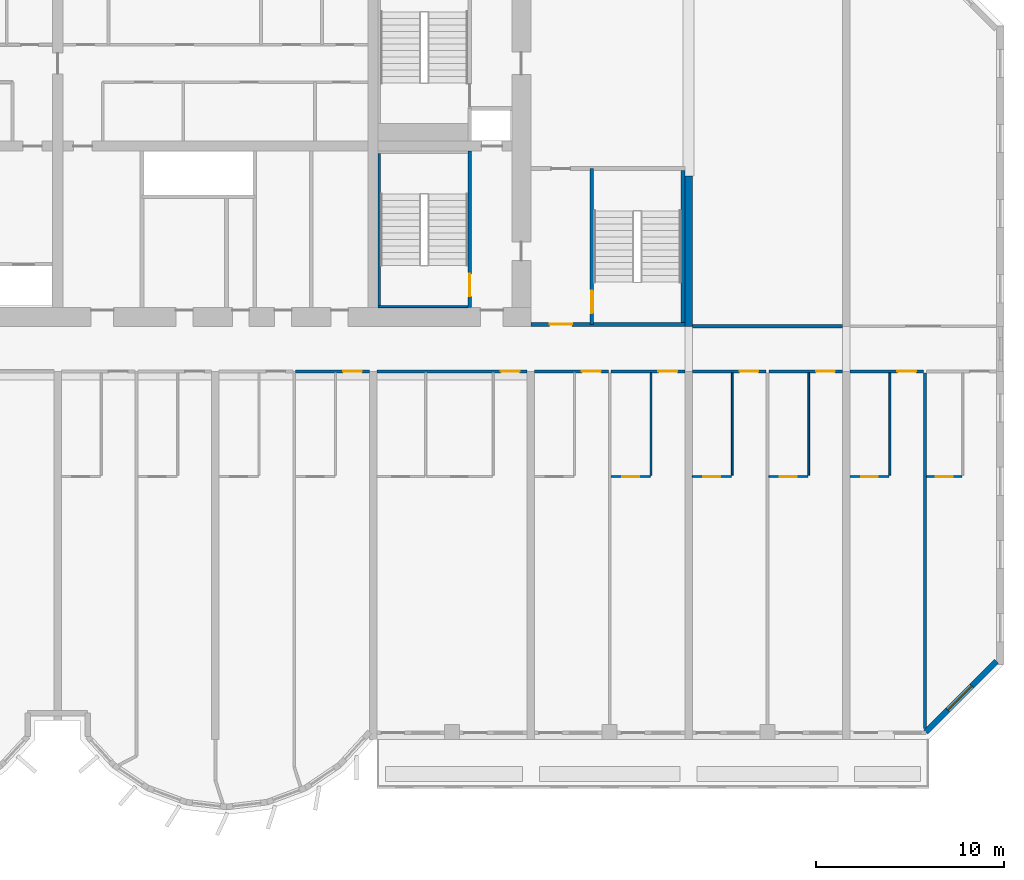
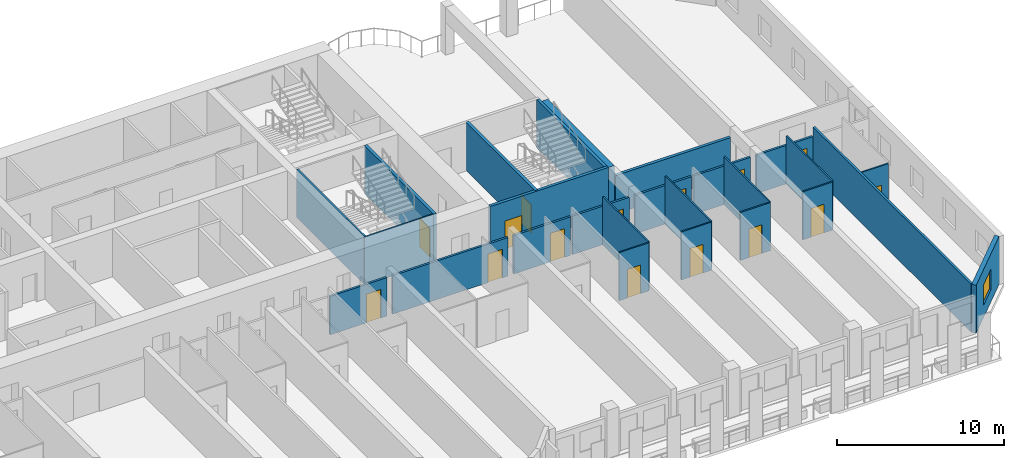
# One storey, part 9 of 14: 26 walls, 15 doors, 1 window, 16 openings.
"""IFC4 building model written with IfcOpenShell, lengths in metres."""

from ifc_helpers import new_model, si_unit, direction, frame, frame_2d, origin, place, context, subcontext, project, spatial, rectangle, extrude, source, transform, mapped, material, layer, layer_set, type_object, element, fill, save


model = new_model("IFC4")

# Units and contexts
model_context = context("Model", 3, precision=1e-05, world=origin(), true_north=direction((0.0, 1.0)))
body_context = subcontext(model_context, "Body", "Model", "MODEL_VIEW")
ifc_project = project(units=[si_unit("LENGTHUNIT", "METRE"), si_unit("AREAUNIT", "SQUARE_METRE"), si_unit("VOLUMEUNIT", "CUBIC_METRE"), si_unit("PLANEANGLEUNIT", "RADIAN"), si_unit("MASSUNIT", "GRAM", prefix="KILO")], contexts=[model_context])

# Site, building, storey
site_placement = place(None, origin())
site = spatial("IfcSite", under=ifc_project, at=site_placement, CompositionType="ELEMENT")
building_placement = place(site_placement, origin())
building = spatial("IfcBuilding", under=site, at=building_placement, Name="Vanashikhar Sky Hotel", CompositionType="ELEMENT")
storey_placement = place(building_placement, frame((0.0, 0.0, 58.199951171875)))
storey = spatial("IfcBuildingStorey", under=building, at=storey_placement, Name="L13", CompositionType="ELEMENT", Elevation=58.199951171875)

# Wall
ifc_material_1 = material(Name="Concrete M80", Category="concrete")
ifc_layer_1 = layer(ifc_material_1, 0.39990234375)
ifc_layer_set_1 = layer_set([ifc_layer_1], Name="RC shear wall 400 Concrete M80")
wall_type_1 = type_object("IfcWallType", Name="RC shear wall 400 Concrete M80", PredefinedType="SHEAR", material=ifc_layer_set_1)
shared_shape_1 = source(origin(), body_context, "Body", "SweptSolid", [
    extrude(rectangle(XDim=8.0, YDim=0.39990234375, at=frame_2d((4.0, 0.0))), origin(), (0.0, 0.0, 1.0), 3.52001953125),
])
wall_1_placement = place(storey_placement, frame((84.0, 22.0, 0.0), z_axis=(0.0, 0.0, 1.0), x_axis=(0.0, 1.0, 0.0)))
element("IfcWall", 1, at=wall_1_placement, inside=storey, type_object=wall_type_1, Name="CW-L13-XW11-2", PredefinedType="SHEAR", context=body_context, shape_type="MappedRepresentation", body=[
    mapped(shared_shape_1, transform((0.0, 0.0, 0.0), scale=1.0)),
])

# Wall, opening, window
ifc_material_2 = material(Name="Concrete M50", Category="concrete")
ifc_layer_2 = layer(ifc_material_2, 0.300048828125)
ifc_layer_set_2 = layer_set([ifc_layer_2], Name="Lobe wall 300")
wall_type_2 = type_object("IfcWallType", Name="Lobe wall 300", PredefinedType="SOLIDWALL", material=ifc_layer_set_2)
shared_shape_2 = source(origin(), body_context, "Body", "SweptSolid", [
    extrude(rectangle(XDim=5.32568359375, YDim=0.300048828125, at=frame_2d((2.662841796875, 0.0))), origin(), (0.0, 0.0, 1.0), 3.52001953125),
])
wall_2_placement = place(storey_placement, frame((96.63427734375, 0.39990234375, 0.0), z_axis=(0.0, 0.0, 1.0), x_axis=(0.707083859269, 0.707129702361, 0.0)))
wall_2 = element("IfcWall", 2, at=wall_2_placement, inside=storey, type_object=wall_type_2, Name="Corner wall", PredefinedType="SOLIDWALL", context=body_context, shape_type="MappedRepresentation", body=[
    mapped(shared_shape_2, transform((0.0, 0.0, 0.0), scale=1.0)),
])
shared_shape_3 = source(origin(), body_context, "Body", "SweptSolid", [
    extrude(rectangle(XDim=1.800048828125, YDim=1.5, at=frame_2d((0.89990234375, 0.75))), frame((0.0, 0.16015625, 0.0), z_axis=(0.0, -1.0, 0.0), x_axis=(1.0, 0.0, 0.0)), (0.0, 0.0, 1.0), 0.320068359375),
])
opening_1_placement = place(wall_2_placement, frame((1.654296875, 0.0, 0.89990234375)))
opening_1 = element("IfcOpeningElement", 3, at=opening_1_placement, cuts=wall_2, Name="Opening WN-4", PredefinedType="OPENING", context=body_context, shape_type="MappedRepresentation", body=[
    mapped(shared_shape_3, transform((0.0, 0.0, 0.0), scale=1.0)),
])
ifc_material_3 = material(Name="Glass", Category="glass")
window_type = type_object("IfcWindowType", Name="Corner window 1800 x 1500", PartitioningType="SINGLE_PANEL", PredefinedType="WINDOW", material=ifc_material_3)
shared_shape_4 = source(origin(), body_context, "Body", "SweptSolid", [
    extrude(rectangle(XDim=1.800048828125, YDim=1.5, at=frame_2d((0.89990234375, 0.75))), frame((0.0, 0.030029296875, 0.0), z_axis=(0.0, -1.0, 0.0), x_axis=(1.0, 0.0, 0.0)), (0.0, 0.0, 1.0), 0.06005859375),
])
window_placement = place(opening_1_placement, origin())
window = element("IfcWindow", 4, at=window_placement, inside=storey, type_object=window_type, Name="Window WN-4", OverallHeight=1.5, OverallWidth=1.800048828125, PartitioningType="SINGLE_PANEL", PredefinedType="WINDOW", context=body_context, shape_type="MappedRepresentation", body=[
    mapped(shared_shape_4, transform((0.0, 0.0, 0.0), scale=1.0)),
])
fill(opening_1, window)

# Wall, opening, door
ifc_layer_3 = layer(ifc_material_2, 0.199951171875)
ifc_layer_set_3 = layer_set([ifc_layer_3], Name="Stair wall 200")
wall_type_3 = type_object("IfcWallType", Name="Stair wall 200", PredefinedType="SOLIDWALL", material=ifc_layer_set_3)
shared_shape_5 = source(origin(), body_context, "Body", "SweptSolid", [
    extrude(rectangle(XDim=8.199951171875, YDim=0.199951171875, at=frame_2d((4.10009765625, 0.0))), origin(), (0.0, 0.0, 1.0), 3.52001953125),
])
wall_3_placement = place(storey_placement, frame((83.800048828125, 22.10009765625, 0.0), z_axis=(0.0, 0.0, 1.0), x_axis=(-1.0, 0.0, 0.0)))
wall_3 = element("IfcWall", 5, at=wall_3_placement, inside=storey, type_object=wall_type_3, Name="Stair wall 200", PredefinedType="SOLIDWALL", context=body_context, shape_type="MappedRepresentation", body=[
    mapped(shared_shape_5, transform((0.0, 0.0, 0.0), scale=1.0)),
])
shared_shape_6 = source(origin(), body_context, "Body", "SweptSolid", [
    extrude(rectangle(XDim=1.199951171875, YDim=2.10009765625, at=frame_2d((0.60009765625, 1.050048828125))), frame((0.0, 0.10986328125, 0.0), z_axis=(0.0, -1.0, 0.0), x_axis=(1.0, 0.0, 0.0)), (0.0, 0.0, 1.0), 0.219970703125),
])
opening_2_placement = place(wall_3_placement, frame((6.0, 0.0, 0.0)))
opening_2 = element("IfcOpeningElement", 6, at=opening_2_placement, cuts=wall_3, Name="Opening DC-2", PredefinedType="OPENING", context=body_context, shape_type="MappedRepresentation", body=[
    mapped(shared_shape_6, transform((0.0, 0.0, 0.0), scale=1.0)),
])
ifc_material_4 = material(Name="Steel", Category="steel")
door_type_1 = type_object("IfcDoorType", Name="Firefighting lobby door 1200 FD120", OperationType="NOTDEFINED", PredefinedType="DOOR", material=ifc_material_4)
shared_shape_7 = source(origin(), body_context, "Body", "SweptSolid", [
    extrude(rectangle(XDim=1.199951171875, YDim=2.10009765625, at=frame_2d((0.60009765625, 1.050048828125))), frame((0.0, 0.02490234375, 0.0), z_axis=(0.0, -1.0, 0.0), x_axis=(1.0, 0.0, 0.0)), (0.0, 0.0, 1.0), 0.050048828125),
])
door_1_placement = place(opening_2_placement, origin())
door_1 = element("IfcDoor", 7, at=door_1_placement, inside=storey, type_object=door_type_1, Name="Firefighting lobby door 1200 FD120", OperationType="SINGLE_SWING_LEFT", OverallHeight=2.10009765625, OverallWidth=1.199951171875, PredefinedType="DOOR", context=body_context, shape_type="MappedRepresentation", body=[
    mapped(shared_shape_7, transform((0.0, 0.0, 0.0), scale=1.0)),
])
fill(opening_2, door_1)

shared_shape_8 = source(origin(), body_context, "Body", "SweptSolid", [
    extrude(rectangle(XDim=8.2998046875, YDim=0.199951171875, at=frame_2d((4.14990234375, 0.0))), origin(), (0.0, 0.0, 1.0), 3.52001953125),
])
wall_4_placement = place(storey_placement, frame((78.85009765625, 22.10009765625, 0.0), z_axis=(0.0, 0.0, 1.0), x_axis=(0.0, 1.0, 0.0)))
wall_4 = element("IfcWall", 8, at=wall_4_placement, inside=storey, type_object=wall_type_3, Name="Stair wall 200", PredefinedType="SOLIDWALL", context=body_context, shape_type="MappedRepresentation", body=[
    mapped(shared_shape_8, transform((0.0, 0.0, 0.0), scale=1.0)),
])
opening_3_placement = place(wall_4_placement, frame((0.60009765625, 0.0, 0.0)))
opening_3 = element("IfcOpeningElement", 9, at=opening_3_placement, cuts=wall_4, Name="Opening DC-1", PredefinedType="OPENING", context=body_context, shape_type="MappedRepresentation", body=[
    mapped(shared_shape_6, transform((0.0, 0.0, 0.0), scale=1.0)),
])
door_type_2 = type_object("IfcDoorType", Name="Stair door 1200 FD120", OperationType="NOTDEFINED", PredefinedType="DOOR", material=ifc_material_4)
door_2_placement = place(opening_3_placement, origin())
door_2 = element("IfcDoor", 10, at=door_2_placement, inside=storey, type_object=door_type_2, Name="Stair door 1200 FD120", OperationType="SINGLE_SWING_RIGHT", OverallHeight=2.10009765625, OverallWidth=1.199951171875, PredefinedType="DOOR", context=body_context, shape_type="MappedRepresentation", body=[
    mapped(shared_shape_7, transform((0.0, 0.0, 0.0), scale=1.0)),
])
fill(opening_3, door_2)

shared_shape_9 = source(origin(), body_context, "Body", "SweptSolid", [
    extrude(rectangle(XDim=8.324951171875, YDim=0.199951171875, at=frame_2d((4.16259765625, 0.0))), origin(), (0.0, 0.0, 1.0), 3.52001953125),
])
wall_5_placement = place(storey_placement, frame((72.35009765625, 23.0, 0.0), z_axis=(0.0, 0.0, 1.0), x_axis=(0.0, 1.0, 0.0)))
wall_5 = element("IfcWall", 11, at=wall_5_placement, inside=storey, type_object=wall_type_3, Name="Stair wall 200", PredefinedType="SOLIDWALL", context=body_context, shape_type="MappedRepresentation", body=[
    mapped(shared_shape_9, transform((0.0, 0.0, 0.0), scale=1.0)),
])
opening_4_placement = place(wall_5_placement, frame((0.60009765625, 0.0, 0.0)))
opening_4 = element("IfcOpeningElement", 12, at=opening_4_placement, cuts=wall_5, Name="Opening DC-1", PredefinedType="OPENING", context=body_context, shape_type="MappedRepresentation", body=[
    mapped(shared_shape_6, transform((0.0, 0.0, 0.0), scale=1.0)),
])
door_3_placement = place(opening_4_placement, origin())
door_3 = element("IfcDoor", 13, at=door_3_placement, inside=storey, type_object=door_type_2, Name="Stair door 1200 FD120", OperationType="SINGLE_SWING_RIGHT", OverallHeight=2.10009765625, OverallWidth=1.199951171875, PredefinedType="DOOR", context=body_context, shape_type="MappedRepresentation", body=[
    mapped(shared_shape_7, transform((0.0, 0.0, 0.0), scale=1.0)),
])
fill(opening_4, door_3)

# Walls
ifc_layer_4 = layer(ifc_material_2, 0.10009765625)
ifc_layer_set_4 = layer_set([ifc_layer_4], Name="Stair infill wall 100")
wall_type_4 = type_object("IfcWallType", Name="Stair infill wall 100", PredefinedType="SOLIDWALL", material=ifc_layer_set_4)
shared_shape_10 = source(origin(), body_context, "Body", "SweptSolid", [
    extrude(rectangle(XDim=4.77490234375, YDim=0.10009765625, at=frame_2d((2.387451171875, 0.0))), origin(), (0.0, 0.0, 1.0), 3.52001953125),
])
wall_6_placement = place(storey_placement, frame((67.47509765625, 23.050048828125, 0.0), z_axis=(0.0, 0.0, 1.0), x_axis=(1.0, 0.0, 0.0)))
element("IfcWall", 14, at=wall_6_placement, inside=storey, type_object=wall_type_4, Name="Stair infill wall 100", PredefinedType="SOLIDWALL", context=body_context, shape_type="MappedRepresentation", body=[
    mapped(shared_shape_10, transform((0.0, 0.0, 0.0), scale=1.0)),
])
ifc_layer_5 = layer(ifc_material_2, 0.125)
ifc_layer_set_5 = layer_set([ifc_layer_5], Name="Stair infill wall 125")
wall_type_5 = type_object("IfcWallType", Name="Stair infill wall 125", PredefinedType="SOLIDWALL", material=ifc_layer_set_5)
shared_shape_11 = source(origin(), body_context, "Body", "SweptSolid", [
    extrude(rectangle(XDim=8.099853515625, YDim=0.125, at=frame_2d((4.0498046875, 0.0))), origin(), (0.0, 0.0, 1.0), 3.52001953125),
])
wall_7_placement = place(storey_placement, frame((67.537109375, 23.10009765625, 0.0), z_axis=(0.0, 0.0, 1.0), x_axis=(0.0, 1.0, 0.0)))
element("IfcWall", 15, at=wall_7_placement, inside=storey, type_object=wall_type_5, Name="Stair infill wall 125", PredefinedType="SOLIDWALL", context=body_context, shape_type="MappedRepresentation", body=[
    mapped(shared_shape_11, transform((0.0, 0.0, 0.0), scale=1.0)),
])
ifc_layer_6 = layer(ifc_material_2, 0.199951171875)
ifc_layer_set_6 = layer_set([ifc_layer_6], Name="Stair infill wall 200")
wall_type_6 = type_object("IfcWallType", Name="Stair infill wall 200", PredefinedType="SOLIDWALL", material=ifc_layer_set_6)
shared_shape_12 = source(origin(), body_context, "Body", "SweptSolid", [
    extrude(rectangle(XDim=8.10009765625, YDim=0.199951171875, at=frame_2d((4.050048828125, 0.0))), origin(), (0.0, 0.0, 1.0), 3.52001953125),
])
wall_8_placement = place(storey_placement, frame((83.699951171875, 22.199951171875, 0.0), z_axis=(0.0, 0.0, 1.0), x_axis=(0.0, 1.0, 0.0)))
element("IfcWall", 16, at=wall_8_placement, inside=storey, type_object=wall_type_6, Name="Stair infill wall 200", PredefinedType="SOLIDWALL", context=body_context, shape_type="MappedRepresentation", body=[
    mapped(shared_shape_12, transform((0.0, 0.0, 0.0), scale=1.0)),
])
ifc_material_5 = material(Name="Gypsum plasterboard partition")
ifc_layer_7 = layer(ifc_material_5, 0.14990234375)
ifc_layer_set_7 = layer_set([ifc_layer_7], Name="Corridor and demising partition 150")
wall_type_7 = type_object("IfcWallType", Name="Corridor and demising partition 150", PredefinedType="PARTITIONING", material=ifc_layer_set_7)
shared_shape_13 = source(origin(), body_context, "Body", "SweptSolid", [
    extrude(rectangle(XDim=18.947021484375, YDim=0.14990234375, at=frame_2d((9.4736328125, 0.0))), origin(), (0.0, 0.0, 1.0), 3.52001953125),
])
wall_9_placement = place(storey_placement, frame((96.60009765625, 0.577880859375, 0.0), z_axis=(0.0, 0.0, 1.0), x_axis=(0.0, 1.0, 0.0)))
element("IfcWall", 17, at=wall_9_placement, inside=storey, type_object=wall_type_7, Name="W-L13-PW070", PredefinedType="PARTITIONING", context=body_context, shape_type="MappedRepresentation", body=[
    mapped(shared_shape_13, transform((0.0, 0.0, 0.0), scale=1.0)),
])

# Wall, opening, door
ifc_layer_8 = layer(ifc_material_5, 0.10009765625)
ifc_layer_set_8 = layer_set([ifc_layer_8], Name="Wet room partition 100")
wall_type_8 = type_object("IfcWallType", Name="Wet room partition 100", PredefinedType="PARTITIONING", material=ifc_layer_set_8)
shared_shape_14 = source(origin(), body_context, "Body", "SweptSolid", [
    extrude(rectangle(XDim=2.074951171875, YDim=0.10009765625, at=frame_2d((1.03759765625, 0.0))), origin(), (0.0, 0.0, 1.0), 3.52001953125),
])
wall_10_placement = place(storey_placement, frame((79.875, 14.0, 0.0), z_axis=(0.0, 0.0, 1.0), x_axis=(1.0, 0.0, 0.0)))
wall_10 = element("IfcWall", 18, at=wall_10_placement, inside=storey, type_object=wall_type_8, Name="W-L13-PW054", PredefinedType="PARTITIONING", context=body_context, shape_type="MappedRepresentation", body=[
    mapped(shared_shape_14, transform((0.0, 0.0, 0.0), scale=1.0)),
])
shared_shape_15 = source(origin(), body_context, "Body", "SweptSolid", [
    extrude(rectangle(XDim=0.89990234375, YDim=2.10009765625, at=frame_2d((0.449951171875, 1.050048828125))), frame((0.0, 0.06005859375, 0.0), z_axis=(0.0, -1.0, 0.0), x_axis=(1.0, 0.0, 0.0)), (0.0, 0.0, 1.0), 0.1201171875),
])
opening_5_placement = place(wall_10_placement, frame((0.5869140625, 0.0, 0.0)))
opening_5 = element("IfcOpeningElement", 19, at=opening_5_placement, cuts=wall_10, Name="Opening D-02", PredefinedType="OPENING", context=body_context, shape_type="MappedRepresentation", body=[
    mapped(shared_shape_15, transform((0.0, 0.0, 0.0), scale=1.0)),
])
ifc_material_6 = material(Name="Timber door", Category="wood")
door_type_3 = type_object("IfcDoorType", Name="Internal door 900", OperationType="NOTDEFINED", PredefinedType="DOOR", material=ifc_material_6)
shared_shape_16 = source(origin(), body_context, "Body", "SweptSolid", [
    extrude(rectangle(XDim=0.89990234375, YDim=2.10009765625, at=frame_2d((0.449951171875, 1.050048828125))), frame((0.0, 0.02490234375, 0.0), z_axis=(0.0, -1.0, 0.0), x_axis=(1.0, 0.0, 0.0)), (0.0, 0.0, 1.0), 0.050048828125),
])
door_4_placement = place(opening_5_placement, origin())
door_4 = element("IfcDoor", 20, at=door_4_placement, inside=storey, type_object=door_type_3, Name="D-L13-032", OperationType="SINGLE_SWING_RIGHT", OverallHeight=2.10009765625, OverallWidth=0.89990234375, PredefinedType="DOOR", context=body_context, shape_type="MappedRepresentation", body=[
    mapped(shared_shape_16, transform((0.0, 0.0, 0.0), scale=1.0)),
])
fill(opening_5, door_4)

wall_11_placement = place(storey_placement, frame((84.199951171875, 14.0, 0.0), z_axis=(0.0, 0.0, 1.0), x_axis=(1.0, 0.0, 0.0)))
wall_11 = element("IfcWall", 21, at=wall_11_placement, inside=storey, type_object=wall_type_8, Name="W-L13-PW058", PredefinedType="PARTITIONING", context=body_context, shape_type="MappedRepresentation", body=[
    mapped(shared_shape_14, transform((0.0, 0.0, 0.0), scale=1.0)),
])
opening_6_placement = place(wall_11_placement, frame((0.587890625, 0.0, 0.0)))
opening_6 = element("IfcOpeningElement", 22, at=opening_6_placement, cuts=wall_11, Name="Opening D-02", PredefinedType="OPENING", context=body_context, shape_type="MappedRepresentation", body=[
    mapped(shared_shape_15, transform((0.0, 0.0, 0.0), scale=1.0)),
])
door_5_placement = place(opening_6_placement, origin())
door_5 = element("IfcDoor", 23, at=door_5_placement, inside=storey, type_object=door_type_3, Name="D-L13-034", OperationType="SINGLE_SWING_RIGHT", OverallHeight=2.10009765625, OverallWidth=0.89990234375, PredefinedType="DOOR", context=body_context, shape_type="MappedRepresentation", body=[
    mapped(shared_shape_16, transform((0.0, 0.0, 0.0), scale=1.0)),
])
fill(opening_6, door_5)

wall_12_placement = place(storey_placement, frame((92.60009765625, 14.0, 0.0), z_axis=(0.0, 0.0, 1.0), x_axis=(1.0, 0.0, 0.0)))
wall_12 = element("IfcWall", 24, at=wall_12_placement, inside=storey, type_object=wall_type_8, Name="W-L13-PW065", PredefinedType="PARTITIONING", context=body_context, shape_type="MappedRepresentation", body=[
    mapped(shared_shape_14, transform((0.0, 0.0, 0.0), scale=1.0)),
])
opening_7_placement = place(wall_12_placement, frame((0.5869140625, 0.0, 0.0)))
opening_7 = element("IfcOpeningElement", 25, at=opening_7_placement, cuts=wall_12, Name="Opening D-02", PredefinedType="OPENING", context=body_context, shape_type="MappedRepresentation", body=[
    mapped(shared_shape_15, transform((0.0, 0.0, 0.0), scale=1.0)),
])
door_6_placement = place(opening_7_placement, origin())
door_6 = element("IfcDoor", 26, at=door_6_placement, inside=storey, type_object=door_type_3, Name="D-L13-038", OperationType="SINGLE_SWING_RIGHT", OverallHeight=2.10009765625, OverallWidth=0.89990234375, PredefinedType="DOOR", context=body_context, shape_type="MappedRepresentation", body=[
    mapped(shared_shape_16, transform((0.0, 0.0, 0.0), scale=1.0)),
])
fill(opening_7, door_6)

shared_shape_17 = source(origin(), body_context, "Body", "SweptSolid", [
    extrude(rectangle(XDim=3.9248046875, YDim=0.14990234375, at=frame_2d((1.96240234375, 0.0))), origin(), (0.0, 0.0, 1.0), 2.820068359375),
])
wall_13_placement = place(storey_placement, frame((92.60009765625, 19.60009765625, 0.0), z_axis=(0.0, 0.0, 1.0), x_axis=(1.0, 0.0, 0.0)))
wall_13 = element("IfcWall", 27, at=wall_13_placement, inside=storey, type_object=wall_type_7, Name="W-L13-PW066", PredefinedType="PARTITIONING", context=body_context, shape_type="MappedRepresentation", body=[
    mapped(shared_shape_17, transform((0.0, 0.0, 0.0), scale=1.0)),
])
shared_shape_18 = source(origin(), body_context, "Body", "SweptSolid", [
    extrude(rectangle(XDim=1.0, YDim=2.10009765625, at=frame_2d((0.5, 1.050048828125))), frame((0.0, 0.0849609375, 0.0), z_axis=(0.0, -1.0, 0.0), x_axis=(1.0, 0.0, 0.0)), (0.0, 0.0, 1.0), 0.169921875),
])
opening_8_placement = place(wall_13_placement, frame((2.52490234375, 0.0, 0.0)))
opening_8 = element("IfcOpeningElement", 28, at=opening_8_placement, cuts=wall_13, Name="Opening D-01", PredefinedType="OPENING", context=body_context, shape_type="MappedRepresentation", body=[
    mapped(shared_shape_18, transform((0.0, 0.0, 0.0), scale=1.0)),
])
ifc_material_7 = material(Name="Timber fire door", Category="wood")
door_type_4 = type_object("IfcDoorType", Name="Guest entry door 1000 FD30S", OperationType="NOTDEFINED", PredefinedType="DOOR", material=ifc_material_7)
shared_shape_19 = source(origin(), body_context, "Body", "SweptSolid", [
    extrude(rectangle(XDim=1.0, YDim=2.10009765625, at=frame_2d((0.5, 1.050048828125))), frame((0.0, 0.02490234375, 0.0), z_axis=(0.0, -1.0, 0.0), x_axis=(1.0, 0.0, 0.0)), (0.0, 0.0, 1.0), 0.050048828125),
])
door_7_placement = place(opening_8_placement, origin())
door_7 = element("IfcDoor", 29, at=door_7_placement, inside=storey, type_object=door_type_4, Name="D-L13-039", OperationType="SINGLE_SWING_RIGHT", OverallHeight=2.10009765625, OverallWidth=1.0, PredefinedType="DOOR", context=body_context, shape_type="MappedRepresentation", body=[
    mapped(shared_shape_19, transform((0.0, 0.0, 0.0), scale=1.0)),
])
fill(opening_8, door_7)

shared_shape_20 = source(origin(), body_context, "Body", "SweptSolid", [
    extrude(rectangle(XDim=3.925048828125, YDim=0.14990234375, at=frame_2d((1.96240234375, 0.0))), origin(), (0.0, 0.0, 1.0), 2.820068359375),
])
wall_14_placement = place(storey_placement, frame((63.074951171875, 19.60009765625, 0.0), z_axis=(0.0, 0.0, 1.0), x_axis=(1.0, 0.0, 0.0)))
wall_14 = element("IfcWall", 30, at=wall_14_placement, inside=storey, type_object=wall_type_7, Name="W-L13-PW043", PredefinedType="PARTITIONING", context=body_context, shape_type="MappedRepresentation", body=[
    mapped(shared_shape_20, transform((0.0, 0.0, 0.0), scale=1.0)),
])
opening_9_placement = place(wall_14_placement, frame((2.52490234375, 0.0, 0.0)))
opening_9 = element("IfcOpeningElement", 31, at=opening_9_placement, cuts=wall_14, Name="Opening D-01", PredefinedType="OPENING", context=body_context, shape_type="MappedRepresentation", body=[
    mapped(shared_shape_18, transform((0.0, 0.0, 0.0), scale=1.0)),
])
door_8_placement = place(opening_9_placement, origin())
door_8 = element("IfcDoor", 32, at=door_8_placement, inside=storey, type_object=door_type_4, Name="D-L13-026", OperationType="SINGLE_SWING_RIGHT", OverallHeight=2.10009765625, OverallWidth=1.0, PredefinedType="DOOR", context=body_context, shape_type="MappedRepresentation", body=[
    mapped(shared_shape_19, transform((0.0, 0.0, 0.0), scale=1.0)),
])
fill(opening_9, door_8)

wall_15_placement = place(storey_placement, frame((75.800048828125, 19.60009765625, 0.0), z_axis=(0.0, 0.0, 1.0), x_axis=(1.0, 0.0, 0.0)))
wall_15 = element("IfcWall", 33, at=wall_15_placement, inside=storey, type_object=wall_type_7, Name="W-L13-PW052", PredefinedType="PARTITIONING", context=body_context, shape_type="MappedRepresentation", body=[
    mapped(shared_shape_20, transform((0.0, 0.0, 0.0), scale=1.0)),
])
opening_10_placement = place(wall_15_placement, frame((2.52490234375, 0.0, 0.0)))
opening_10 = element("IfcOpeningElement", 34, at=opening_10_placement, cuts=wall_15, Name="Opening D-01", PredefinedType="OPENING", context=body_context, shape_type="MappedRepresentation", body=[
    mapped(shared_shape_18, transform((0.0, 0.0, 0.0), scale=1.0)),
])
door_9_placement = place(opening_10_placement, origin())
door_9 = element("IfcDoor", 35, at=door_9_placement, inside=storey, type_object=door_type_4, Name="D-L13-031", OperationType="SINGLE_SWING_RIGHT", OverallHeight=2.10009765625, OverallWidth=1.0, PredefinedType="DOOR", context=body_context, shape_type="MappedRepresentation", body=[
    mapped(shared_shape_19, transform((0.0, 0.0, 0.0), scale=1.0)),
])
fill(opening_10, door_9)

wall_16_placement = place(storey_placement, frame((79.875, 19.60009765625, 0.0), z_axis=(0.0, 0.0, 1.0), x_axis=(1.0, 0.0, 0.0)))
wall_16 = element("IfcWall", 36, at=wall_16_placement, inside=storey, type_object=wall_type_7, Name="W-L13-PW055", PredefinedType="PARTITIONING", context=body_context, shape_type="MappedRepresentation", body=[
    mapped(shared_shape_20, transform((0.0, 0.0, 0.0), scale=1.0)),
])
opening_11_placement = place(wall_16_placement, frame((2.52490234375, 0.0, 0.0)))
opening_11 = element("IfcOpeningElement", 37, at=opening_11_placement, cuts=wall_16, Name="Opening D-01", PredefinedType="OPENING", context=body_context, shape_type="MappedRepresentation", body=[
    mapped(shared_shape_18, transform((0.0, 0.0, 0.0), scale=1.0)),
])
door_10_placement = place(opening_11_placement, origin())
door_10 = element("IfcDoor", 38, at=door_10_placement, inside=storey, type_object=door_type_4, Name="D-L13-033", OperationType="SINGLE_SWING_RIGHT", OverallHeight=2.10009765625, OverallWidth=1.0, PredefinedType="DOOR", context=body_context, shape_type="MappedRepresentation", body=[
    mapped(shared_shape_19, transform((0.0, 0.0, 0.0), scale=1.0)),
])
fill(opening_11, door_10)

wall_17_placement = place(storey_placement, frame((84.199951171875, 19.60009765625, 0.0), z_axis=(0.0, 0.0, 1.0), x_axis=(1.0, 0.0, 0.0)))
wall_17 = element("IfcWall", 39, at=wall_17_placement, inside=storey, type_object=wall_type_7, Name="W-L13-PW059", PredefinedType="PARTITIONING", context=body_context, shape_type="MappedRepresentation", body=[
    mapped(shared_shape_20, transform((0.0, 0.0, 0.0), scale=1.0)),
])
opening_12_placement = place(wall_17_placement, frame((2.52490234375, 0.0, 0.0)))
opening_12 = element("IfcOpeningElement", 40, at=opening_12_placement, cuts=wall_17, Name="Opening D-01", PredefinedType="OPENING", context=body_context, shape_type="MappedRepresentation", body=[
    mapped(shared_shape_18, transform((0.0, 0.0, 0.0), scale=1.0)),
])
door_11_placement = place(opening_12_placement, origin())
door_11 = element("IfcDoor", 41, at=door_11_placement, inside=storey, type_object=door_type_4, Name="D-L13-035", OperationType="SINGLE_SWING_RIGHT", OverallHeight=2.10009765625, OverallWidth=1.0, PredefinedType="DOOR", context=body_context, shape_type="MappedRepresentation", body=[
    mapped(shared_shape_19, transform((0.0, 0.0, 0.0), scale=1.0)),
])
fill(opening_12, door_11)

wall_18_placement = place(storey_placement, frame((88.27490234375, 19.60009765625, 0.0), z_axis=(0.0, 0.0, 1.0), x_axis=(1.0, 0.0, 0.0)))
wall_18 = element("IfcWall", 42, at=wall_18_placement, inside=storey, type_object=wall_type_7, Name="W-L13-PW062", PredefinedType="PARTITIONING", context=body_context, shape_type="MappedRepresentation", body=[
    mapped(shared_shape_20, transform((0.0, 0.0, 0.0), scale=1.0)),
])
opening_13_placement = place(wall_18_placement, frame((2.52490234375, 0.0, 0.0)))
opening_13 = element("IfcOpeningElement", 43, at=opening_13_placement, cuts=wall_18, Name="Opening D-01", PredefinedType="OPENING", context=body_context, shape_type="MappedRepresentation", body=[
    mapped(shared_shape_18, transform((0.0, 0.0, 0.0), scale=1.0)),
])
door_12_placement = place(opening_13_placement, origin())
door_12 = element("IfcDoor", 44, at=door_12_placement, inside=storey, type_object=door_type_4, Name="D-L13-037", OperationType="SINGLE_SWING_RIGHT", OverallHeight=2.10009765625, OverallWidth=1.0, PredefinedType="DOOR", context=body_context, shape_type="MappedRepresentation", body=[
    mapped(shared_shape_19, transform((0.0, 0.0, 0.0), scale=1.0)),
])
fill(opening_13, door_12)

shared_shape_21 = source(origin(), body_context, "Body", "SweptSolid", [
    extrude(rectangle(XDim=8.0, YDim=0.14990234375, at=frame_2d((4.0, 0.0))), origin(), (0.0, 0.0, 1.0), 2.820068359375),
])
wall_19_placement = place(storey_placement, frame((67.39990234375, 19.60009765625, 0.0), z_axis=(0.0, 0.0, 1.0), x_axis=(1.0, 0.0, 0.0)))
wall_19 = element("IfcWall", 45, at=wall_19_placement, inside=storey, type_object=wall_type_7, Name="W-L13-PW049", PredefinedType="PARTITIONING", context=body_context, shape_type="MappedRepresentation", body=[
    mapped(shared_shape_21, transform((0.0, 0.0, 0.0), scale=1.0)),
])
opening_14_placement = place(wall_19_placement, frame((6.60009765625, 0.0, 0.0)))
opening_14 = element("IfcOpeningElement", 46, at=opening_14_placement, cuts=wall_19, Name="Opening D-01", PredefinedType="OPENING", context=body_context, shape_type="MappedRepresentation", body=[
    mapped(shared_shape_18, transform((0.0, 0.0, 0.0), scale=1.0)),
])
door_13_placement = place(opening_14_placement, origin())
door_13 = element("IfcDoor", 47, at=door_13_placement, inside=storey, type_object=door_type_4, Name="D-L13-029", OperationType="SINGLE_SWING_RIGHT", OverallHeight=2.10009765625, OverallWidth=1.0, PredefinedType="DOOR", context=body_context, shape_type="MappedRepresentation", body=[
    mapped(shared_shape_19, transform((0.0, 0.0, 0.0), scale=1.0)),
])
fill(opening_14, door_13)

shared_shape_22 = source(origin(), body_context, "Body", "SweptSolid", [
    extrude(rectangle(XDim=1.875, YDim=0.10009765625, at=frame_2d((0.9375, 0.0))), origin(), (0.0, 0.0, 1.0), 3.52001953125),
])
wall_20_placement = place(storey_placement, frame((96.675048828125, 14.0, 0.0), z_axis=(0.0, 0.0, 1.0), x_axis=(1.0, 0.0, 0.0)))
wall_20 = element("IfcWall", 48, at=wall_20_placement, inside=storey, type_object=wall_type_8, Name="W-L13-PW068", PredefinedType="PARTITIONING", context=body_context, shape_type="MappedRepresentation", body=[
    mapped(shared_shape_22, transform((0.0, 0.0, 0.0), scale=1.0)),
])
opening_15_placement = place(wall_20_placement, frame((0.488037109375, 0.0, 0.0)))
opening_15 = element("IfcOpeningElement", 49, at=opening_15_placement, cuts=wall_20, Name="Opening D-02", PredefinedType="OPENING", context=body_context, shape_type="MappedRepresentation", body=[
    mapped(shared_shape_15, transform((0.0, 0.0, 0.0), scale=1.0)),
])
door_14_placement = place(opening_15_placement, origin())
door_14 = element("IfcDoor", 50, at=door_14_placement, inside=storey, type_object=door_type_3, Name="D-L13-040", OperationType="SINGLE_SWING_RIGHT", OverallHeight=2.10009765625, OverallWidth=0.89990234375, PredefinedType="DOOR", context=body_context, shape_type="MappedRepresentation", body=[
    mapped(shared_shape_16, transform((0.0, 0.0, 0.0), scale=1.0)),
])
fill(opening_15, door_14)

# Walls
shared_shape_23 = source(origin(), body_context, "Body", "SweptSolid", [
    extrude(rectangle(XDim=5.449951171875, YDim=0.10009765625, at=frame_2d((2.72509765625, 0.0))), origin(), (0.0, 0.0, 1.0), 3.52001953125),
])
for number, where, z_axis, x_axis, name in (
    (51, (82.0, 14.074951171875, 0.0), (0.0, 0.0, 1.0), (0.0, 1.0, 0.0), "W-L13-PW053"),
    (52, (86.324951171875, 14.074951171875, 0.0), (0.0, 0.0, 1.0), (0.0, 1.0, 0.0), "W-L13-PW057"),
    (53, (90.39990234375, 14.074951171875, 0.0), (0.0, 0.0, 1.0), (0.0, 1.0, 0.0), "W-L13-PW060"),
    (54, (94.72509765625, 14.074951171875, 0.0), (0.0, 0.0, 1.0), (0.0, 1.0, 0.0), "W-L13-PW064"),
):
    element("IfcWall", number, at=place(storey_placement, frame(where, z_axis=z_axis, x_axis=x_axis)), inside=storey, type_object=wall_type_8, Name=name, PredefinedType="PARTITIONING", context=body_context, shape_type="MappedRepresentation", body=[
        mapped(shared_shape_23, transform((0.0, 0.0, 0.0), scale=1.0)),
    ])

# Wall, opening, door
shared_shape_24 = source(origin(), body_context, "Body", "SweptSolid", [
    extrude(rectangle(XDim=2.0751953125, YDim=0.10009765625, at=frame_2d((1.03759765625, 0.0))), origin(), (0.0, 0.0, 1.0), 3.52001953125),
])
wall_21_placement = place(storey_placement, frame((88.27490234375, 14.0, 0.0), z_axis=(0.0, 0.0, 1.0), x_axis=(1.0, 0.0, 0.0)))
wall_21 = element("IfcWall", 55, at=wall_21_placement, inside=storey, type_object=wall_type_8, Name="W-L13-PW061", PredefinedType="PARTITIONING", context=body_context, shape_type="MappedRepresentation", body=[
    mapped(shared_shape_24, transform((0.0, 0.0, 0.0), scale=1.0)),
])
opening_16_placement = place(wall_21_placement, frame((0.5869140625, 0.0, 0.0)))
opening_16 = element("IfcOpeningElement", 56, at=opening_16_placement, cuts=wall_21, Name="Opening D-02", PredefinedType="OPENING", context=body_context, shape_type="MappedRepresentation", body=[
    mapped(shared_shape_15, transform((0.0, 0.0, 0.0), scale=1.0)),
])
door_15_placement = place(opening_16_placement, origin())
door_15 = element("IfcDoor", 57, at=door_15_placement, inside=storey, type_object=door_type_3, Name="D-L13-036", OperationType="SINGLE_SWING_RIGHT", OverallHeight=2.10009765625, OverallWidth=0.89990234375, PredefinedType="DOOR", context=body_context, shape_type="MappedRepresentation", body=[
    mapped(shared_shape_16, transform((0.0, 0.0, 0.0), scale=1.0)),
])
fill(opening_16, door_15)

# Wall
ifc_material_8 = material(Name="Masonry partition", Category="masonry")
ifc_layer_9 = layer(ifc_material_8, 0.199951171875)
ifc_layer_set_9 = layer_set([ifc_layer_9], Name="Refuge enclosure wall 200")
wall_type_9 = type_object("IfcWallType", Name="Refuge enclosure wall 200", PredefinedType="PARTITIONING", material=ifc_layer_set_9)
shared_shape_25 = source(origin(), body_context, "Body", "SweptSolid", [
    extrude(rectangle(XDim=8.0, YDim=0.199951171875, at=frame_2d((4.0, 0.0))), origin(), (0.0, 0.0, 1.0), 2.820068359375),
])
wall_22_placement = place(storey_placement, frame((84.199951171875, 22.0, 0.0), z_axis=(0.0, 0.0, 1.0), x_axis=(1.0, 0.0, 0.0)))
element("IfcWall", 58, at=wall_22_placement, inside=storey, type_object=wall_type_9, Name="W-L13-PW086", PredefinedType="PARTITIONING", context=body_context, shape_type="MappedRepresentation", body=[
    mapped(shared_shape_25, transform((0.0, 0.0, 0.0), scale=1.0)),
])

save(model, "model.ifc")
